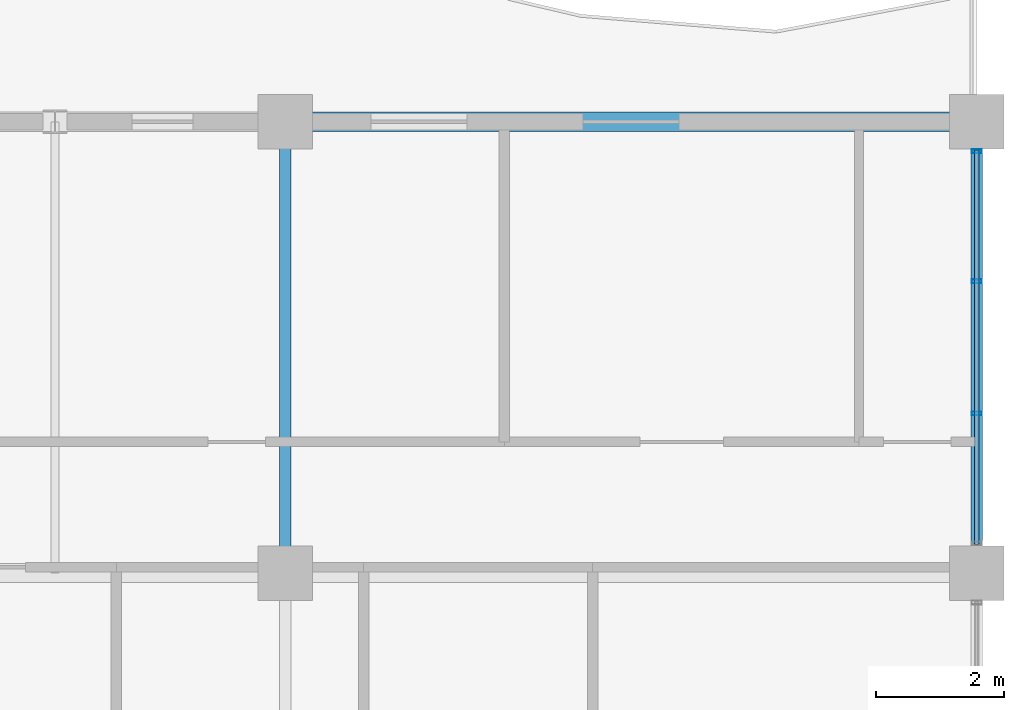
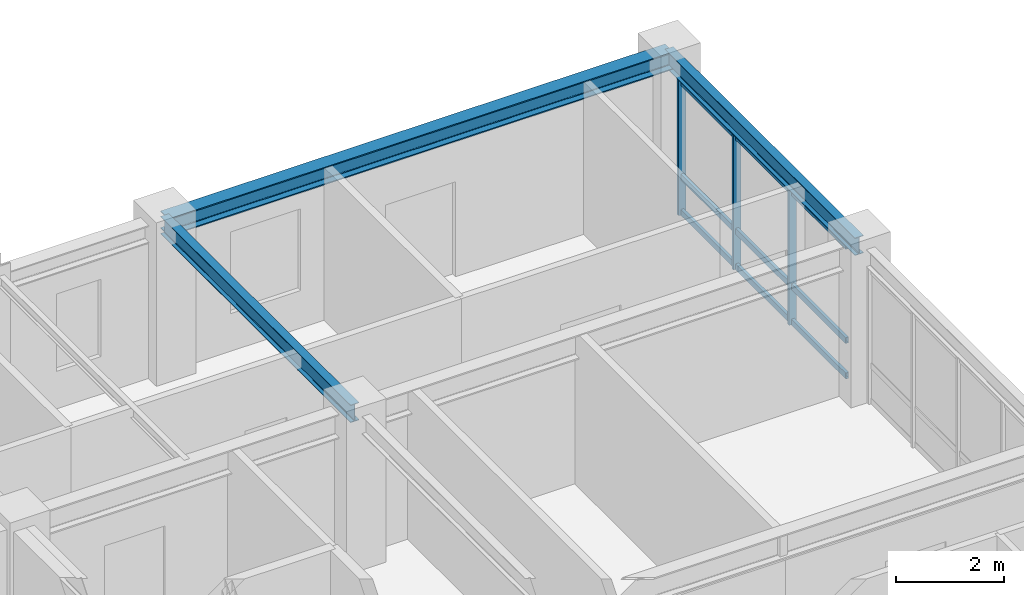
# One storey, part 4 of 10: 6 members, 3 beams, 1 element without a shape of its own.
"""IFC4 building model written with IfcOpenShell, lengths in metres."""

from ifc_helpers import new_model, si_unit, direction, frame, origin, origin_2d, place, context, subcontext, project, spatial, hollow_rectangle, i_section, extrude, source, transform, mapped, material, layer, layer_set, material_profile, profile_set, type_object, element, aggregate, save


model = new_model("IFC4")

# Units and contexts
model_context = context("Model", 3, precision=1e-05, world=origin(), true_north=direction((0.0, 1.0)))
body_context = subcontext(model_context, "Body", "Model", "MODEL_VIEW")
ifc_project = project(units=[si_unit("LENGTHUNIT", "METRE"), si_unit("AREAUNIT", "SQUARE_METRE"), si_unit("VOLUMEUNIT", "CUBIC_METRE"), si_unit("PLANEANGLEUNIT", "RADIAN"), si_unit("MASSUNIT", "GRAM", prefix="KILO")], contexts=[model_context])

# Site, building, storey
site_placement = place(None, origin())
site = spatial("IfcSite", under=ifc_project, at=site_placement, CompositionType="ELEMENT")
building_placement = place(site_placement, origin())
building = spatial("IfcBuilding", under=site, at=building_placement, Name="Kaliganga Portal Commons", CompositionType="ELEMENT")
storey_placement = place(building_placement, frame((0.0, 0.0, 283.199951171875)))
storey = spatial("IfcBuildingStorey", under=building, at=storey_placement, Name="L73", CompositionType="ELEMENT", Elevation=283.199951171875)

# Beams
ifc_material_1 = material(Name="Structural steel S355J2", Category="steel")
ifc_material_profile_1 = material_profile(ifc_material_1, i_section(OverallWidth=0.300048828125, OverallDepth=0.39990234375, WebThickness=0.013427734375, FlangeThickness=0.02392578125, FilletRadius=0.027099609375, at=origin_2d()), Name="HE 400 B")
ifc_profile_set_1 = profile_set([ifc_material_profile_1], Name="Structural steel S355J2 wide-flange")
beam_type_1 = type_object("IfcBeamType", Name="BM-SPAND-400", PredefinedType="SPANDREL", material=ifc_profile_set_1)
shared_shape_1 = source(origin(), body_context, "Body", "SweptSolid", [
    extrude(i_section(OverallWidth=0.300048828125, OverallDepth=0.39990234375, WebThickness=0.013427734375, FlangeThickness=0.02392578125, FilletRadius=0.027099609375, at=origin_2d()), origin(), (0.0, 0.0, 1.0), 10.800048828125),
])
beam_placement = place(storey_placement, frame((36.0, 43.199951171875, 3.275146484375), z_axis=(1.0, 0.0, 0.0), x_axis=(0.0, 1.0, 0.0)))
element("IfcBeam", 1, at=beam_placement, inside=storey, type_object=beam_type_1, Name="BM SP L73 AN 7", PredefinedType="SPANDREL", context=body_context, shape_type="MappedRepresentation", body=[
    mapped(shared_shape_1, transform((0.0, 0.0, 0.0), x_axis=(1.0, 0.0, 0.0), y_axis=(0.0, 1.0, 0.0), z_axis=(0.0, 0.0, 1.0), scale=1.0)),
])
ifc_material_profile_2 = material_profile(ifc_material_1, i_section(OverallWidth=0.179931640625, OverallDepth=0.39990234375, WebThickness=0.008544921875, FlangeThickness=0.013427734375, FilletRadius=0.02099609375, at=origin_2d()), Name="IPE 400")
ifc_profile_set_2 = profile_set([ifc_material_profile_2], Name="Structural steel S355J2 wide-flange")
beam_type_2 = type_object("IfcBeamType", Name="BM-FLR-400", PredefinedType="BEAM", material=ifc_profile_set_2)
shared_shape_2 = source(origin(), body_context, "Body", "SweptSolid", [
    extrude(i_section(OverallWidth=0.179931640625, OverallDepth=0.39990234375, WebThickness=0.008544921875, FlangeThickness=0.013427734375, FilletRadius=0.02099609375, at=origin_2d()), origin(), (0.0, 0.0, 1.0), 7.050048828125),
])
for number, where, z_axis, x_axis, name in (
    (2, (36.0, 36.14990234375, 3.275146484375), (0.0, 1.0, 0.0), (-1.0, 0.0, 0.0), "BM G L73 AN360"),
    (3, (46.800048828125, 36.14990234375, 3.275146484375), (0.0, 1.0, 0.0), (-1.0, 0.0, 0.0), "BM G L73 AN468"),
):
    element("IfcBeam", number, at=place(storey_placement, frame(where, z_axis=z_axis, x_axis=x_axis)), inside=storey, type_object=beam_type_2, Name=name, PredefinedType="BEAM", context=body_context, shape_type="MappedRepresentation", body=[
        mapped(shared_shape_2, transform((0.0, 0.0, 0.0), x_axis=(1.0, 0.0, 0.0), y_axis=(0.0, 1.0, 0.0), z_axis=(0.0, 0.0, 1.0), scale=1.0)),
    ])

# Curtain wall, members
ifc_material_2 = material(Name="Anodized Aluminium and Laminated Low-E Glass", Category="aluminium")
ifc_layer = layer(ifc_material_2, 0.18994140625)
ifc_layer_set = layer_set([ifc_layer], Name="Anodized Aluminium and Laminated Low-E Glass")
curtain_wall_type = type_object("IfcCurtainWallType", Name="CW-SYS-05", PredefinedType="NOTDEFINED", material=ifc_layer_set)
curtain_wall_placement = place(storey_placement, origin())
curtain_wall = element("IfcCurtainWall", 4, at=curtain_wall_placement, inside=storey, type_object=curtain_wall_type, Name="CW 05 L73 P1E01S3", PredefinedType="NOTDEFINED")
ifc_material_3 = material(Name="Dark Bronze Anodized Aluminium", Category="aluminium")
ifc_material_profile_3 = material_profile(ifc_material_3, hollow_rectangle(XDim=0.06005859375, YDim=0.159912109375, WallThickness=0.00341796875, at=origin_2d()), Name="ALU MULL 60x160x3.5")
ifc_profile_set_3 = profile_set([ifc_material_profile_3], Name="Dark Bronze Anodized Aluminium")
member_type_1 = type_object("IfcMemberType", Name="CW-MUL-160", PredefinedType="MULLION", material=ifc_profile_set_3)
shared_shape_3 = source(origin(), body_context, "Body", "SweptSolid", [
    extrude(hollow_rectangle(XDim=0.06005859375, YDim=0.159912109375, WallThickness=0.00341796875, at=origin_2d()), origin(), (0.0, 0.0, 1.0), 3.074951171875),
])
member_1_placement = place(storey_placement, frame((46.800048828125, 38.64208984375, 0.0), z_axis=(0.0, 0.0, 1.0), x_axis=(0.0, 1.0, 0.0)))
member_1 = element("IfcMember", 5, at=member_1_placement, type_object=member_type_1, Name="CW:05:L73:P1E01S3 Mullion 01", PredefinedType="MULLION", context=body_context, shape_type="MappedRepresentation", body=[
    mapped(shared_shape_3, transform((0.0, 0.0, 0.0), x_axis=(1.0, 0.0, 0.0), y_axis=(0.0, 1.0, 0.0), z_axis=(0.0, 0.0, 1.0), scale=1.0)),
])
member_2_placement = place(storey_placement, frame((46.800048828125, 40.7080078125, 0.0), z_axis=(0.0, 0.0, 1.0), x_axis=(0.0, 1.0, 0.0)))
member_2 = element("IfcMember", 6, at=member_2_placement, type_object=member_type_1, Name="CW:05:L73:P1E01S3 Mullion 02", PredefinedType="MULLION", context=body_context, shape_type="MappedRepresentation", body=[
    mapped(shared_shape_3, transform((0.0, 0.0, 0.0), x_axis=(1.0, 0.0, 0.0), y_axis=(0.0, 1.0, 0.0), z_axis=(0.0, 0.0, 1.0), scale=1.0)),
])
member_3_placement = place(storey_placement, frame((46.800048828125, 42.739013671875, 0.0), z_axis=(0.0, 0.0, 1.0), x_axis=(0.0, 1.0, 0.0)))
member_3 = element("IfcMember", 7, at=member_3_placement, type_object=member_type_1, Name="CW:05:L73:P1E01S3 Mullion 03", PredefinedType="MULLION", context=body_context, shape_type="MappedRepresentation", body=[
    mapped(shared_shape_3, transform((0.0, 0.0, 0.0), x_axis=(1.0, 0.0, 0.0), y_axis=(0.0, 1.0, 0.0), z_axis=(0.0, 0.0, 1.0), scale=1.0)),
])
ifc_material_profile_4 = material_profile(ifc_material_3, hollow_rectangle(XDim=0.06494140625, YDim=0.135009765625, WallThickness=0.00341796875, at=origin_2d()), Name="ALU TRAN 65x135x3.5")
ifc_profile_set_4 = profile_set([ifc_material_profile_4], Name="Dark Bronze Anodized Aluminium")
member_type_2 = type_object("IfcMemberType", Name="CW-TRN-135", PredefinedType="USERDEFINED", material=ifc_profile_set_4)
shared_shape_4 = source(origin(), body_context, "Body", "SweptSolid", [
    extrude(hollow_rectangle(XDim=0.06494140625, YDim=0.135009765625, WallThickness=0.00341796875, at=origin_2d()), origin(), (0.0, 0.0, 1.0), 6.157958984375),
])
member_4_placement = place(storey_placement, frame((46.800048828125, 36.595947265625, 0.06005859375), z_axis=(0.0, 1.0, 0.0), x_axis=(-1.0, 0.0, 0.0)))
member_4 = element("IfcMember", 8, at=member_4_placement, type_object=member_type_2, Name="CW:05:L73:P1E01S3 Transom 1", ObjectType="TRANSOM", PredefinedType="USERDEFINED", context=body_context, shape_type="MappedRepresentation", body=[
    mapped(shared_shape_4, transform((0.0, 0.0, 0.0), x_axis=(1.0, 0.0, 0.0), y_axis=(0.0, 1.0, 0.0), z_axis=(0.0, 0.0, 1.0), scale=1.0)),
])
member_5_placement = place(storey_placement, frame((46.800048828125, 36.595947265625, 0.861083984375), z_axis=(0.0, 1.0, 0.0), x_axis=(-1.0, 0.0, 0.0)))
member_5 = element("IfcMember", 9, at=member_5_placement, type_object=member_type_2, Name="CW:05:L73:P1E01S3 Transom 2", ObjectType="TRANSOM", PredefinedType="USERDEFINED", context=body_context, shape_type="MappedRepresentation", body=[
    mapped(shared_shape_4, transform((0.0, 0.0, 0.0), x_axis=(1.0, 0.0, 0.0), y_axis=(0.0, 1.0, 0.0), z_axis=(0.0, 0.0, 1.0), scale=1.0)),
])
member_6_placement = place(storey_placement, frame((46.800048828125, 36.595947265625, 2.9951171875), z_axis=(0.0, 1.0, 0.0), x_axis=(-1.0, 0.0, 0.0)))
member_6 = element("IfcMember", 10, at=member_6_placement, type_object=member_type_2, Name="CW:05:L73:P1E01S3 Transom 3", ObjectType="TRANSOM", PredefinedType="USERDEFINED", context=body_context, shape_type="MappedRepresentation", body=[
    mapped(shared_shape_4, transform((0.0, 0.0, 0.0), x_axis=(1.0, 0.0, 0.0), y_axis=(0.0, 1.0, 0.0), z_axis=(0.0, 0.0, 1.0), scale=1.0)),
])
aggregate(curtain_wall, [member_1, member_2, member_3, member_4, member_5, member_6])

save(model, "model.ifc")
